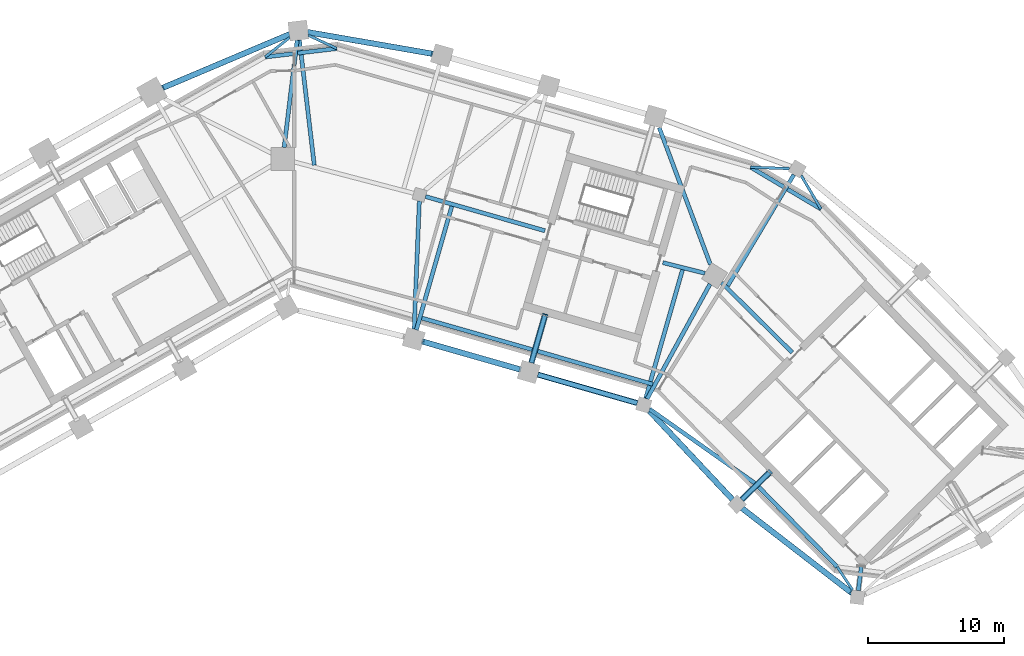
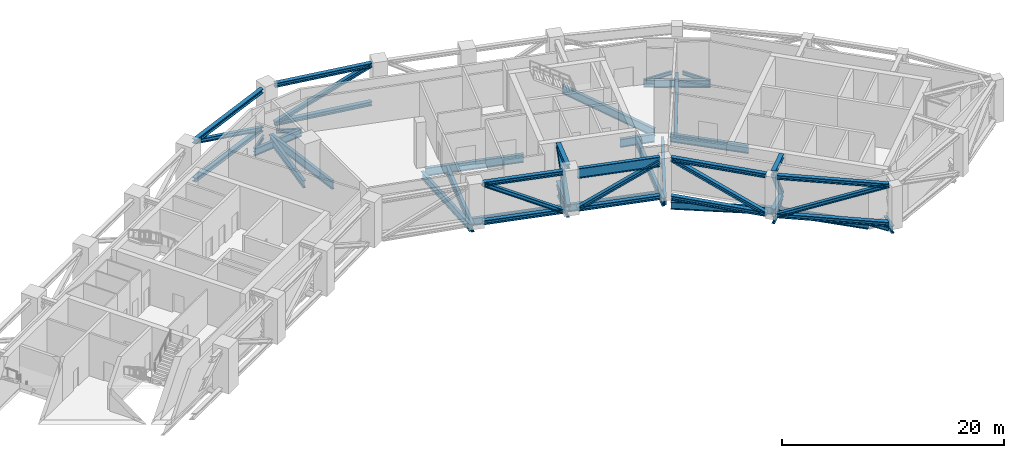
# One storey, part 3 of 16: 28 beams, 23 members.
"""IFC4 building model written with IfcOpenShell, lengths in metres."""

from ifc_helpers import new_model, si_unit, direction, frame, origin, origin_2d, place, context, subcontext, project, spatial, i_section, extrude, material, material_profile, profile_set, type_object, element, save


model = new_model("IFC4")

# Units and contexts
model_context = context("Model", 3, precision=1e-05, world=origin(), true_north=direction((0.0, 1.0)))
body_context = subcontext(model_context, "Body", "Model", "MODEL_VIEW")
ifc_project = project(units=[si_unit("LENGTHUNIT", "METRE"), si_unit("AREAUNIT", "SQUARE_METRE"), si_unit("VOLUMEUNIT", "CUBIC_METRE"), si_unit("PLANEANGLEUNIT", "RADIAN"), si_unit("MASSUNIT", "GRAM", prefix="KILO")], contexts=[model_context])

# Site, building, storey
site_placement = place(None, origin())
site = spatial("IfcSite", under=ifc_project, at=site_placement, CompositionType="ELEMENT")
building_placement = place(site_placement, origin())
building = spatial("IfcBuilding", under=site, at=building_placement, Name="Binnacle Exchange Tower", CompositionType="ELEMENT")
storey_placement = place(building_placement, frame((0.0, 0.0, 149.89990234375)))
storey = spatial("IfcBuildingStorey", under=building, at=storey_placement, Name="L31", CompositionType="ELEMENT", Elevation=149.89990234375)

# Members
ifc_material_1 = material(Name="Steel S460 (SHN460)", Category="steel")
ifc_material_profile_1 = material_profile(ifc_material_1, i_section(OverallWidth=0.4169921875, OverallDepth=0.4580078125, WebThickness=0.030029296875, FlangeThickness=0.050048828125, FilletRadius=0.02197265625, at=origin_2d()), Name="H 458x417x30x50")
ifc_profile_set_1 = profile_set([ifc_material_profile_1], Name="Steel S460 (SHN460)")
member_type_1 = type_object("IfcMemberType", Name="Belt truss chord BT31C H 458x417x30x50 Steel S460 (SHN460)", PredefinedType="CHORD", material=ifc_profile_set_1)
for number, where, z_axis, x_axis, name in (
    (1, (10.1962890625, 67.749267578125, 4.451171875), (-0.985312784176, 0.170759237931, 0.0), (-0.170759237931, -0.985312784176, 0.0), "S:TR:L31:BEL:010"),
    (2, (10.1962890625, 67.749267578125, 0.22900390625), (-0.985312784176, 0.170759237931, 0.0), (-0.170759237931, -0.985312784176, 0.0), "S:TR:L31:BEL:011"),
):
    element("IfcMember", number, at=place(storey_placement, frame(where, z_axis=z_axis, x_axis=x_axis)), inside=storey, type_object=member_type_1, Name=name, PredefinedType="CHORD", context=body_context, shape_type="SweptSolid", body=[
        extrude(i_section(OverallWidth=0.4169921875, OverallDepth=0.4580078125, WebThickness=0.030029296875, FlangeThickness=0.050048828125, FilletRadius=0.02197265625, at=origin_2d()), origin(), (0.0, 0.0, 1.0), 9.313232421875),
    ])
for number, where, z_axis, x_axis, name in (
    (3, (-0.37109375, 69.180419921875, 4.451171875), (-0.921114465748, -0.389291845523, 0.0), (0.389291845523, -0.921114465748, 0.0), "S:TR:L31:BEL:013"),
    (4, (-0.37109375, 69.180419921875, 0.22900390625), (-0.921114465748, -0.389291845523, 0.0), (0.389291845523, -0.921114465748, 0.0), "S:TR:L31:BEL:014"),
):
    element("IfcMember", number, at=place(storey_placement, frame(where, z_axis=z_axis, x_axis=x_axis)), inside=storey, type_object=member_type_1, Name=name, PredefinedType="CHORD", context=body_context, shape_type="SweptSolid", body=[
        extrude(i_section(OverallWidth=0.4169921875, OverallDepth=0.4580078125, WebThickness=0.030029296875, FlangeThickness=0.050048828125, FilletRadius=0.02197265625, at=origin_2d()), origin(), (0.0, 0.0, 1.0), 10.13525390625),
    ])
for number, where, z_axis, x_axis, name in (
    (5, (9.482421875, 46.529296875, 4.451171875), (0.961257800717, -0.275650939705, 0.0), (0.275650939705, 0.961257800717, 0.0), "S:TR:L31:BEL:058"),
    (6, (9.482421875, 46.529296875, 0.22900390625), (0.961257800717, -0.275650939705, 0.0), (0.275650939705, 0.961257800717, 0.0), "S:TR:L31:BEL:059"),
):
    element("IfcMember", number, at=place(storey_placement, frame(where, z_axis=z_axis, x_axis=x_axis)), inside=storey, type_object=member_type_1, Name=name, PredefinedType="CHORD", context=body_context, shape_type="SweptSolid", body=[
        extrude(i_section(OverallWidth=0.4169921875, OverallDepth=0.4580078125, WebThickness=0.030029296875, FlangeThickness=0.050048828125, FilletRadius=0.02197265625, at=origin_2d()), origin(), (0.0, 0.0, 1.0), 7.42041015625),
    ])
member_1_placement = place(storey_placement, frame((17.961181640625, 44.09814453125, 0.22900390625), z_axis=(0.961257524102, -0.275651904325, 0.0), x_axis=(0.275651904325, 0.961257524102, 0.0)))
element("IfcMember", 7, at=member_1_placement, inside=storey, type_object=member_type_1, Name="S:TR:L31:BEL:062", PredefinedType="CHORD", context=body_context, shape_type="SweptSolid", body=[
    extrude(i_section(OverallWidth=0.4169921875, OverallDepth=0.4580078125, WebThickness=0.030029296875, FlangeThickness=0.050048828125, FilletRadius=0.02197265625, at=origin_2d()), origin(), (0.0, 0.0, 1.0), 7.620361328125),
])
for number, where, z_axis, x_axis, name in (
    (8, (26.165283203125, 41.43505859375, 4.451171875), (0.684076068391, -0.729410674898, 0.0), (0.729410674898, 0.684076068391, 0.0), "S:TR:L31:BEL:064"),
    (9, (26.165283203125, 41.43505859375, 0.22900390625), (0.684076068391, -0.729410674898, 0.0), (0.729410674898, 0.684076068391, 0.0), "S:TR:L31:BEL:065"),
):
    element("IfcMember", number, at=place(storey_placement, frame(where, z_axis=z_axis, x_axis=x_axis)), inside=storey, type_object=member_type_1, Name=name, PredefinedType="CHORD", context=body_context, shape_type="SweptSolid", body=[
        extrude(i_section(OverallWidth=0.4169921875, OverallDepth=0.4580078125, WebThickness=0.030029296875, FlangeThickness=0.050048828125, FilletRadius=0.02197265625, at=origin_2d()), origin(), (0.0, 0.0, 1.0), 8.966552734375),
    ])
for number, where, z_axis, x_axis, name in (
    (10, (33.040771484375, 34.2216796875, 4.451171875), (0.791519159984, -0.611144352324, 0.0), (0.611144352324, 0.791519159984, 0.0), "S:TR:L31:BEL:067"),
    (11, (33.040771484375, 34.2216796875, 0.22900390625), (0.791519159984, -0.611144352324, 0.0), (0.611144352324, 0.791519159984, 0.0), "S:TR:L31:BEL:068"),
):
    element("IfcMember", number, at=place(storey_placement, frame(where, z_axis=z_axis, x_axis=x_axis)), inside=storey, type_object=member_type_1, Name=name, PredefinedType="CHORD", context=body_context, shape_type="SweptSolid", body=[
        extrude(i_section(OverallWidth=0.4169921875, OverallDepth=0.4580078125, WebThickness=0.030029296875, FlangeThickness=0.050048828125, FilletRadius=0.02197265625, at=origin_2d()), origin(), (0.0, 0.0, 1.0), 10.13232421875),
    ])
ifc_material_2 = material(Name="Steel S355 (SHN355)", Category="steel")
ifc_material_profile_2 = material_profile(ifc_material_2, i_section(OverallWidth=0.403076171875, OverallDepth=0.406005859375, WebThickness=0.01611328125, FlangeThickness=0.02392578125, FilletRadius=0.02197265625, at=origin_2d()), Name="H 406x403x16x24")
ifc_profile_set_2 = profile_set([ifc_material_profile_2], Name="Steel S355 (SHN355)")
member_type_2 = type_object("IfcMemberType", Name="Belt truss diagonal BT31D H 406x403x16x24 Steel S355 (SHN355)", PredefinedType="BRACE", material=ifc_profile_set_2)
member_2_placement = place(storey_placement, frame((10.1962890625, 67.749267578125, 4.451171875), z_axis=(-0.897400027962, 0.155523552881, -0.412899036464), x_axis=(-0.170759237931, -0.985312784176, 0.0)))
element("IfcMember", 12, at=member_2_placement, inside=storey, type_object=member_type_2, Name="S:TR:L31:BEL:012", PredefinedType="BRACE", context=body_context, shape_type="SweptSolid", body=[
    extrude(i_section(OverallWidth=0.403076171875, OverallDepth=0.406005859375, WebThickness=0.01611328125, FlangeThickness=0.02392578125, FilletRadius=0.02197265625, at=origin_2d()), origin(), (0.0, 0.0, 1.0), 10.2255859375),
])
member_3_placement = place(storey_placement, frame((-0.37109375, 69.180419921875, 0.22900390625), z_axis=(-0.850284475658, -0.359356871548, 0.38455032093), x_axis=(0.389291845523, -0.921114465748, 0.0)))
element("IfcMember", 13, at=member_3_placement, inside=storey, type_object=member_type_2, Name="S:TR:L31:BEL:015", PredefinedType="BRACE", context=body_context, shape_type="SweptSolid", body=[
    extrude(i_section(OverallWidth=0.403076171875, OverallDepth=0.406005859375, WebThickness=0.01611328125, FlangeThickness=0.02392578125, FilletRadius=0.02197265625, at=origin_2d()), origin(), (0.0, 0.0, 1.0), 10.9794921875),
])
member_4_placement = place(storey_placement, frame((9.482421875, 46.529296875, 4.451171875), z_axis=(0.835477043669, -0.239581964398, -0.494548877095), x_axis=(0.275650939705, 0.961257800717, 0.0)))
element("IfcMember", 14, at=member_4_placement, inside=storey, type_object=member_type_2, Name="S:TR:L31:BEL:060", PredefinedType="BRACE", context=body_context, shape_type="SweptSolid", body=[
    extrude(i_section(OverallWidth=0.403076171875, OverallDepth=0.406005859375, WebThickness=0.01611328125, FlangeThickness=0.02392578125, FilletRadius=0.02197265625, at=origin_2d()), origin(), (0.0, 0.0, 1.0), 8.537353515625),
])
member_5_placement = place(storey_placement, frame((17.961181640625, 44.09814453125, 0.22900390625), z_axis=(0.855653066529, -0.245368583669, 0.455688586524), x_axis=(0.275651904325, 0.961257524102, 0.0)))
element("IfcMember", 15, at=member_5_placement, inside=storey, type_object=member_type_2, Name="S:TR:L31:BEL:063", PredefinedType="BRACE", context=body_context, shape_type="SweptSolid", body=[
    extrude(i_section(OverallWidth=0.403076171875, OverallDepth=0.406005859375, WebThickness=0.01611328125, FlangeThickness=0.02392578125, FilletRadius=0.02197265625, at=origin_2d()), origin(), (0.0, 0.0, 1.0), 8.56103515625),
])
member_6_placement = place(storey_placement, frame((26.165283203125, 41.43505859375, 4.451171875), z_axis=(0.618895021284, -0.659909995429, -0.426013791517), x_axis=(0.729410674898, 0.684076068391, 0.0)))
element("IfcMember", 16, at=member_6_placement, inside=storey, type_object=member_type_2, Name="S:TR:L31:BEL:066", PredefinedType="BRACE", context=body_context, shape_type="SweptSolid", body=[
    extrude(i_section(OverallWidth=0.403076171875, OverallDepth=0.406005859375, WebThickness=0.01611328125, FlangeThickness=0.02392578125, FilletRadius=0.02197265625, at=origin_2d()), origin(), (0.0, 0.0, 1.0), 9.910888671875),
])
member_7_placement = place(storey_placement, frame((33.040771484375, 34.2216796875, 0.22900390625), z_axis=(0.730624918725, -0.564126953989, 0.384640101809), x_axis=(0.611144352324, 0.791519159984, 0.0)))
element("IfcMember", 17, at=member_7_placement, inside=storey, type_object=member_type_2, Name="S:TR:L31:BEL:069", PredefinedType="BRACE", context=body_context, shape_type="SweptSolid", body=[
    extrude(i_section(OverallWidth=0.403076171875, OverallDepth=0.406005859375, WebThickness=0.01611328125, FlangeThickness=0.02392578125, FilletRadius=0.02197265625, at=origin_2d()), origin(), (0.0, 0.0, 1.0), 10.97705078125),
])

# Beams
ifc_material_profile_3 = material_profile(ifc_material_2, i_section(OverallWidth=0.300048828125, OverallDepth=0.800048828125, WebThickness=0.013916015625, FlangeThickness=0.02587890625, FilletRadius=0.028076171875, at=origin_2d()), Name="H 800x300x14x26")
ifc_profile_set_3 = profile_set([ifc_material_profile_3], Name="Steel S355 (SHN355)")
beam_type_1 = type_object("IfcBeamType", Name="Edge girder H 800x300x14x26 Steel S355 (SHN355)", PredefinedType="SPANDREL", material=ifc_profile_set_3)
beam_1_placement = place(storey_placement, frame((-2.141845703125, 67.513671875, -0.75), z_axis=(0.99307431808, 0.117487866483, 0.0), x_axis=(-0.117487866483, 0.99307431808, 0.0)))
element("IfcBeam", 18, at=beam_1_placement, inside=storey, type_object=beam_type_1, Name="S:BM:edge:L31:029", PredefinedType="SPANDREL", context=body_context, shape_type="SweptSolid", body=[
    extrude(i_section(OverallWidth=0.300048828125, OverallDepth=0.800048828125, WebThickness=0.013916015625, FlangeThickness=0.02587890625, FilletRadius=0.028076171875, at=origin_2d()), origin(), (0.0, 0.0, 1.0), 2.10302734375),
])
beam_2_placement = place(storey_placement, frame((0.244384765625, 67.796142578125, -0.75), z_axis=(0.993067190116, 0.117548100429, 0.0), x_axis=(-0.117548100429, 0.993067190116, 0.0)))
element("IfcBeam", 19, at=beam_2_placement, inside=storey, type_object=beam_type_1, Name="S:BM:edge:L31:032", PredefinedType="SPANDREL", context=body_context, shape_type="SweptSolid", body=[
    extrude(i_section(OverallWidth=0.300048828125, OverallDepth=0.800048828125, WebThickness=0.013916015625, FlangeThickness=0.02587890625, FilletRadius=0.028076171875, at=origin_2d()), origin(), (0.0, 0.0, 1.0), 2.90576171875),
])
beam_3_placement = place(storey_placement, frame((17.59912109375, 45.91845703125, -0.75), z_axis=(-0.961264031761, 0.275629209703, 0.0), x_axis=(-0.275629209703, -0.961264031761, 0.0)))
element("IfcBeam", 20, at=beam_3_placement, inside=storey, type_object=beam_type_1, Name="S:BM:edge:L31:036", PredefinedType="SPANDREL", context=body_context, shape_type="SweptSolid", body=[
    extrude(i_section(OverallWidth=0.300048828125, OverallDepth=0.800048828125, WebThickness=0.013916015625, FlangeThickness=0.02587890625, FilletRadius=0.028076171875, at=origin_2d()), origin(), (0.0, 0.0, 1.0), 8.52099609375),
])
beam_4_placement = place(storey_placement, frame((26.43603515625, 43.384521484375, -0.75), z_axis=(-0.961264530406, 0.275627470663, 0.0), x_axis=(-0.275627470663, -0.961264530406, 0.0)))
element("IfcBeam", 21, at=beam_4_placement, inside=storey, type_object=beam_type_1, Name="S:BM:edge:L31:038", PredefinedType="SPANDREL", context=body_context, shape_type="SweptSolid", body=[
    extrude(i_section(OverallWidth=0.300048828125, OverallDepth=0.800048828125, WebThickness=0.013916015625, FlangeThickness=0.02587890625, FilletRadius=0.028076171875, at=origin_2d()), origin(), (0.0, 0.0, 1.0), 8.89306640625),
])
beam_5_placement = place(storey_placement, frame((33.649658203125, 59.38623046875, -0.75), z_axis=(0.859396278682, -0.511310117431, 0.0), x_axis=(0.511310117431, 0.859396278682, 0.0)))
element("IfcBeam", 22, at=beam_5_placement, inside=storey, type_object=beam_type_1, Name="S:BM:edge:L31:040", PredefinedType="SPANDREL", context=body_context, shape_type="SweptSolid", body=[
    extrude(i_section(OverallWidth=0.300048828125, OverallDepth=0.800048828125, WebThickness=0.013916015625, FlangeThickness=0.02587890625, FilletRadius=0.028076171875, at=origin_2d()), origin(), (0.0, 0.0, 1.0), 2.86572265625),
])
beam_6_placement = place(storey_placement, frame((33.9912109375, 36.06689453125, -0.75), z_axis=(-0.817553151105, 0.575853145444, 0.0), x_axis=(-0.575853145444, -0.817553151105, 0.0)))
element("IfcBeam", 23, at=beam_6_placement, inside=storey, type_object=beam_type_1, Name="S:BM:edge:L31:041", PredefinedType="SPANDREL", context=body_context, shape_type="SweptSolid", body=[
    extrude(i_section(OverallWidth=0.300048828125, OverallDepth=0.800048828125, WebThickness=0.013916015625, FlangeThickness=0.02587890625, FilletRadius=0.028076171875, at=origin_2d()), origin(), (0.0, 0.0, 1.0), 9.5302734375),
])
beam_7_placement = place(storey_placement, frame((36.370361328125, 57.767578125, -0.75), z_axis=(0.85943371201, -0.511247195259, 0.0), x_axis=(0.511247195259, 0.85943371201, 0.0)))
element("IfcBeam", 24, at=beam_7_placement, inside=storey, type_object=beam_type_1, Name="S:BM:edge:L31:042", PredefinedType="SPANDREL", context=body_context, shape_type="SweptSolid", body=[
    extrude(i_section(OverallWidth=0.300048828125, OverallDepth=0.800048828125, WebThickness=0.013916015625, FlangeThickness=0.02587890625, FilletRadius=0.028076171875, at=origin_2d()), origin(), (0.0, 0.0, 1.0), 2.86572265625),
])
beam_8_placement = place(storey_placement, frame((40.031005859375, 29.920654296875, -0.75), z_axis=(-0.700915564587, 0.713244257825, 0.0), x_axis=(-0.713244257825, -0.700915564587, 0.0)))
element("IfcBeam", 25, at=beam_8_placement, inside=storey, type_object=beam_type_1, Name="S:BM:edge:L31:044", PredefinedType="SPANDREL", context=body_context, shape_type="SweptSolid", body=[
    extrude(i_section(OverallWidth=0.300048828125, OverallDepth=0.800048828125, WebThickness=0.013916015625, FlangeThickness=0.02587890625, FilletRadius=0.028076171875, at=origin_2d()), origin(), (0.0, 0.0, 1.0), 8.317138671875),
])
ifc_material_profile_4 = material_profile(ifc_material_2, i_section(OverallWidth=0.199951171875, OverallDepth=0.39990234375, WebThickness=0.008056640625, FlangeThickness=0.012939453125, FilletRadius=0.01611328125, at=origin_2d()), Name="H 400x200x8x13")
ifc_profile_set_4 = profile_set([ifc_material_profile_4], Name="Steel S355 (SHN355)")
beam_type_2 = type_object("IfcBeamType", Name="Floor beam H 400x200x8x13 Steel S355 (SHN355)", PredefinedType="BEAM", material=ifc_profile_set_4)
for number, where, z_axis, x_axis, name in (
    (26, (-0.343994140625, 68.94970703125, -0.5498046875), (-0.781344753533, -0.624099652401, 0.0), (0.624099652401, -0.781344753533, 0.0), "S:BM:cross:L31:066"),
    (27, (1.04638671875, 69.114501953125, -0.5498046875), (0.905430901978, -0.424493676918, 0.0), (0.424493676918, 0.905430901978, 0.0), "S:BM:cross:L31:068"),
):
    element("IfcBeam", number, at=place(storey_placement, frame(where, z_axis=z_axis, x_axis=x_axis)), inside=storey, type_object=beam_type_2, Name=name, PredefinedType="BEAM", context=body_context, shape_type="SweptSolid", body=[
        extrude(i_section(OverallWidth=0.199951171875, OverallDepth=0.39990234375, WebThickness=0.008056640625, FlangeThickness=0.012939453125, FilletRadius=0.01611328125, at=origin_2d()), origin(), (0.0, 0.0, 1.0), 2.301025390625),
    ])
beam_9_placement = place(storey_placement, frame((36.515380859375, 59.282958984375, -0.5498046875), z_axis=(-0.999351306147, 0.036013426691, 0.0), x_axis=(-0.036013426691, -0.999351306147, 0.0)))
element("IfcBeam", 28, at=beam_9_placement, inside=storey, type_object=beam_type_2, Name="S:BM:cross:L31:076", PredefinedType="BEAM", context=body_context, shape_type="SweptSolid", body=[
    extrude(i_section(OverallWidth=0.199951171875, OverallDepth=0.39990234375, WebThickness=0.008056640625, FlangeThickness=0.012939453125, FilletRadius=0.01611328125, at=origin_2d()), origin(), (0.0, 0.0, 1.0), 2.86767578125),
])
beam_10_placement = place(storey_placement, frame((37.374755859375, 58.771728515625, -0.5498046875), z_axis=(0.508574424887, -0.861018033697, 0.0), x_axis=(0.861018033697, 0.508574424887, 0.0)))
element("IfcBeam", 29, at=beam_10_placement, inside=storey, type_object=beam_type_2, Name="S:BM:cross:L31:078", PredefinedType="BEAM", context=body_context, shape_type="SweptSolid", body=[
    extrude(i_section(OverallWidth=0.199951171875, OverallDepth=0.39990234375, WebThickness=0.008056640625, FlangeThickness=0.012939453125, FilletRadius=0.01611328125, at=origin_2d()), origin(), (0.0, 0.0, 1.0), 2.867919921875),
])
beam_11_placement = place(storey_placement, frame((41.15478515625, 28.225341796875, -0.5498046875), z_axis=(-0.552509991461, 0.833506274323, 0.0), x_axis=(-0.833506274323, -0.552509991461, 0.0)))
element("IfcBeam", 30, at=beam_11_placement, inside=storey, type_object=beam_type_2, Name="S:BM:cross:L31:079", PredefinedType="BEAM", context=body_context, shape_type="SweptSolid", body=[
    extrude(i_section(OverallWidth=0.199951171875, OverallDepth=0.39990234375, WebThickness=0.008056640625, FlangeThickness=0.012939453125, FilletRadius=0.01611328125, at=origin_2d()), origin(), (0.0, 0.0, 1.0), 2.033935546875),
])
ifc_material_profile_5 = material_profile(ifc_material_2, i_section(OverallWidth=0.300048828125, OverallDepth=0.800048828125, WebThickness=0.013916015625, FlangeThickness=0.02587890625, FilletRadius=0.028076171875, at=origin_2d()), Name="H 800x300x14x26")
ifc_profile_set_5 = profile_set([ifc_material_profile_5], Name="Steel S355 (SHN355)")
beam_type_3 = type_object("IfcBeamType", Name="Floor beam H 800x300x14x26 Steel S355 (SHN355)", PredefinedType="BEAM", material=ifc_profile_set_5)
beam_12_placement = place(storey_placement, frame((17.481201171875, 44.964111328125, -0.75), z_axis=(0.275643564404, 0.961259915633, 0.0), x_axis=(-0.961259915633, 0.275643564404, 0.0)))
element("IfcBeam", 31, at=beam_12_placement, inside=storey, type_object=beam_type_3, Name="S:BM:cross:L31:071", PredefinedType="BEAM", context=body_context, shape_type="SweptSolid", body=[
    extrude(i_section(OverallWidth=0.300048828125, OverallDepth=0.800048828125, WebThickness=0.013916015625, FlangeThickness=0.02587890625, FilletRadius=0.028076171875, at=origin_2d()), origin(), (0.0, 0.0, 1.0), 3.635009765625),
])
beam_13_placement = place(storey_placement, frame((32.997802734375, 34.880615234375, -0.75), z_axis=(0.713272005304, 0.700887327928, 0.0), x_axis=(-0.700887327928, 0.713272005304, 0.0)))
element("IfcBeam", 32, at=beam_13_placement, inside=storey, type_object=beam_type_3, Name="S:BM:cross:L31:075", PredefinedType="BEAM", context=body_context, shape_type="SweptSolid", body=[
    extrude(i_section(OverallWidth=0.300048828125, OverallDepth=0.800048828125, WebThickness=0.013916015625, FlangeThickness=0.02587890625, FilletRadius=0.028076171875, at=origin_2d()), origin(), (0.0, 0.0, 1.0), 2.8583984375),
])
beam_14_placement = place(storey_placement, frame((41.582763671875, 28.1708984375, -0.75), z_axis=(0.12626620762, 0.991996393549, 0.0), x_axis=(-0.991996393549, 0.12626620762, 0.0)))
element("IfcBeam", 33, at=beam_14_placement, inside=storey, type_object=beam_type_3, Name="S:BM:cross:L31:080", PredefinedType="BEAM", context=body_context, shape_type="SweptSolid", body=[
    extrude(i_section(OverallWidth=0.300048828125, OverallDepth=0.800048828125, WebThickness=0.013916015625, FlangeThickness=0.02587890625, FilletRadius=0.028076171875, at=origin_2d()), origin(), (0.0, 0.0, 1.0), 1.8310546875),
])
ifc_material_profile_6 = material_profile(ifc_material_2, i_section(OverallWidth=0.300048828125, OverallDepth=0.89990234375, WebThickness=0.01611328125, FlangeThickness=0.028076171875, FilletRadius=0.028076171875, at=origin_2d()), Name="H 900x300x16x28")
ifc_profile_set_6 = profile_set([ifc_material_profile_6], Name="Steel S355 (SHN355)")
beam_type_4 = type_object("IfcBeamType", Name="Floor beam H 900x300x16x28 Steel S355 (SHN355)", PredefinedType="BEAM", material=ifc_profile_set_6)
beam_15_placement = place(storey_placement, frame((0.38232421875, 68.76904296875, -0.7998046875), z_axis=(0.117557103339, -0.993066124412, 0.0), x_axis=(0.993066124412, 0.117557103339, 0.0)))
element("IfcBeam", 34, at=beam_15_placement, inside=storey, type_object=beam_type_4, Name="S:BM:cross:L31:067", PredefinedType="BEAM", context=body_context, shape_type="SweptSolid", body=[
    extrude(i_section(OverallWidth=0.300048828125, OverallDepth=0.89990234375, WebThickness=0.01611328125, FlangeThickness=0.028076171875, FilletRadius=0.028076171875, at=origin_2d()), origin(), (0.0, 0.0, 1.0), 9.2998046875),
])
beam_16_placement = place(storey_placement, frame((36.829345703125, 58.832763671875, -0.7998046875), z_axis=(-0.51129570724, -0.859404852068, 0.0), x_axis=(0.859404852068, -0.51129570724, 0.0)))
element("IfcBeam", 35, at=beam_16_placement, inside=storey, type_object=beam_type_4, Name="S:BM:cross:L31:077", PredefinedType="BEAM", context=body_context, shape_type="SweptSolid", body=[
    extrude(i_section(OverallWidth=0.300048828125, OverallDepth=0.89990234375, WebThickness=0.01611328125, FlangeThickness=0.028076171875, FilletRadius=0.028076171875, at=origin_2d()), origin(), (0.0, 0.0, 1.0), 9.5361328125),
])
ifc_material_profile_7 = material_profile(ifc_material_2, i_section(OverallWidth=0.302001953125, OverallDepth=0.912109375, WebThickness=0.01806640625, FlangeThickness=0.033935546875, FilletRadius=0.028076171875, at=origin_2d()), Name="H 912x302x18x34")
ifc_profile_set_7 = profile_set([ifc_material_profile_7], Name="Steel S355 (SHN355)")
beam_type_5 = type_object("IfcBeamType", Name="Floor beam H 912x302x18x34 Steel S355 (SHN355)", PredefinedType="BEAM", material=ifc_profile_set_7)
beam_17_placement = place(storey_placement, frame((9.00244140625, 47.395263671875, -0.805908203125), z_axis=(0.275642274849, 0.961260285415, 0.0), x_axis=(-0.961260285415, 0.275642274849, 0.0)))
element("IfcBeam", 36, at=beam_17_placement, inside=storey, type_object=beam_type_5, Name="S:BM:cross:L31:069", PredefinedType="BEAM", context=body_context, shape_type="SweptSolid", body=[
    extrude(i_section(OverallWidth=0.302001953125, OverallDepth=0.912109375, WebThickness=0.01806640625, FlangeThickness=0.033935546875, FilletRadius=0.028076171875, at=origin_2d()), origin(), (0.0, 0.0, 1.0), 9.485107421875),
])
beam_18_placement = place(storey_placement, frame((25.90478515625, 42.34033203125, -0.805908203125), z_axis=(0.275622426292, 0.961265976785, 0.0), x_axis=(-0.961265976785, 0.275622426292, 0.0)))
element("IfcBeam", 37, at=beam_18_placement, inside=storey, type_object=beam_type_5, Name="S:BM:cross:L31:073", PredefinedType="BEAM", context=body_context, shape_type="SweptSolid", body=[
    extrude(i_section(OverallWidth=0.302001953125, OverallDepth=0.912109375, WebThickness=0.01806640625, FlangeThickness=0.033935546875, FilletRadius=0.028076171875, at=origin_2d()), origin(), (0.0, 0.0, 1.0), 9.872802734375),
])

# Members
ifc_material_profile_8 = material_profile(ifc_material_1, i_section(OverallWidth=0.431884765625, OverallDepth=0.498046875, WebThickness=0.044921875, FlangeThickness=0.070068359375, FilletRadius=0.02197265625, at=origin_2d()), Name="H 498x432x45x70")
ifc_profile_set_8 = profile_set([ifc_material_profile_8], Name="Steel S460 (SHN460)")
member_type_3 = type_object("IfcMemberType", Name="Outrigger truss chord OT31C H 498x432x45x70 Steel S460 (SHN460)", PredefinedType="CHORD", material=ifc_profile_set_8)
for number, where, z_axis, x_axis, name in (
    (38, (32.997802734375, 34.880615234375, 4.43115234375), (0.71327336915, 0.70088593998, 0.0), (-0.70088593998, 0.71327336915, 0.0), "S:TR:L31:OUT:100"),
    (39, (32.997802734375, 34.880615234375, 0.2490234375), (0.71327336915, 0.70088593998, 0.0), (-0.70088593998, 0.71327336915, 0.0), "S:TR:L31:OUT:101"),
):
    element("IfcMember", number, at=place(storey_placement, frame(where, z_axis=z_axis, x_axis=x_axis)), inside=storey, type_object=member_type_3, Name=name, PredefinedType="CHORD", context=body_context, shape_type="SweptSolid", body=[
        extrude(i_section(OverallWidth=0.431884765625, OverallDepth=0.498046875, WebThickness=0.044921875, FlangeThickness=0.070068359375, FilletRadius=0.02197265625, at=origin_2d()), origin(), (0.0, 0.0, 1.0), 2.818359375),
    ])
for number, where, z_axis, x_axis, name in (
    (40, (17.481201171875, 44.964111328125, 4.43115234375), (0.275644827117, 0.961259553546, 0.0), (-0.961259553546, 0.275644827117, 0.0), "S:TR:L31:OUT:127"),
    (41, (17.481201171875, 44.964111328125, 0.2490234375), (0.275644827117, 0.961259553546, 0.0), (-0.961259553546, 0.275644827117, 0.0), "S:TR:L31:OUT:128"),
):
    element("IfcMember", number, at=place(storey_placement, frame(where, z_axis=z_axis, x_axis=x_axis)), inside=storey, type_object=member_type_3, Name=name, PredefinedType="CHORD", context=body_context, shape_type="SweptSolid", body=[
        extrude(i_section(OverallWidth=0.431884765625, OverallDepth=0.498046875, WebThickness=0.044921875, FlangeThickness=0.070068359375, FilletRadius=0.02197265625, at=origin_2d()), origin(), (0.0, 0.0, 1.0), 3.594970703125),
    ])
ifc_material_profile_9 = material_profile(ifc_material_2, i_section(OverallWidth=0.406982421875, OverallDepth=0.427978515625, WebThickness=0.02001953125, FlangeThickness=0.034912109375, FilletRadius=0.02197265625, at=origin_2d()), Name="H 428x407x20x35")
ifc_profile_set_9 = profile_set([ifc_material_profile_9], Name="Steel S355 (SHN355)")
member_type_4 = type_object("IfcMemberType", Name="Outrigger truss diagonal OT31D H 428x407x20x35 Steel S355 (SHN355)", PredefinedType="BRACE", material=ifc_profile_set_9)
member_8_placement = place(storey_placement, frame((32.997802734375, 34.880615234375, 4.43115234375), z_axis=(0.398611269887, 0.391688582057, -0.829270227492), x_axis=(-0.70088593998, 0.71327336915, 0.0)))
element("IfcMember", 42, at=member_8_placement, inside=storey, type_object=member_type_4, Name="S:TR:L31:OUT:102", PredefinedType="BRACE", context=body_context, shape_type="SweptSolid", body=[
    extrude(i_section(OverallWidth=0.406982421875, OverallDepth=0.427978515625, WebThickness=0.02001953125, FlangeThickness=0.034912109375, FilletRadius=0.02197265625, at=origin_2d()), origin(), (0.0, 0.0, 1.0), 5.043212890625),
])
member_9_placement = place(storey_placement, frame((17.481201171875, 44.964111328125, 0.2490234375), z_axis=(0.179686854945, 0.626624151698, 0.758323681991), x_axis=(-0.961259553546, 0.275644827117, 0.0)))
element("IfcMember", 43, at=member_9_placement, inside=storey, type_object=member_type_4, Name="S:TR:L31:OUT:129", PredefinedType="BRACE", context=body_context, shape_type="SweptSolid", body=[
    extrude(i_section(OverallWidth=0.406982421875, OverallDepth=0.427978515625, WebThickness=0.02001953125, FlangeThickness=0.034912109375, FilletRadius=0.02197265625, at=origin_2d()), origin(), (0.0, 0.0, 1.0), 5.514892578125),
])

# Beams
ifc_material_profile_10 = material_profile(ifc_material_2, i_section(OverallWidth=0.300048828125, OverallDepth=0.800048828125, WebThickness=0.013916015625, FlangeThickness=0.02587890625, FilletRadius=0.028076171875, at=origin_2d()), Name="H 800x300x14x26")
ifc_profile_set_10 = profile_set([ifc_material_profile_10], Name="Steel S355 (SHN355)")
beam_type_6 = type_object("IfcBeamType", Name="Spine girder H 800x300x14x26 Steel S355 (SHN355)", PredefinedType="BEAM", material=ifc_profile_set_10)
beam_19_placement = place(storey_placement, frame((-0.74658203125, 60.85009765625, -0.75), z_axis=(0.120612669289, 0.992699644408, 0.0), x_axis=(-0.992699644408, 0.120612669289, 0.0)))
element("IfcBeam", 44, at=beam_19_placement, inside=storey, type_object=beam_type_6, Name="S:BM:spine:L31:005", PredefinedType="BEAM", context=body_context, shape_type="SweptSolid", body=[
    extrude(i_section(OverallWidth=0.300048828125, OverallDepth=0.800048828125, WebThickness=0.013916015625, FlangeThickness=0.02587890625, FilletRadius=0.028076171875, at=origin_2d()), origin(), (0.0, 0.0, 1.0), 7.95703125),
])
beam_20_placement = place(storey_placement, frame((9.22216796875, 56.887451171875, -0.75), z_axis=(-0.040573469093, -0.999176557774, 0.0), x_axis=(0.999176557774, -0.040573469093, 0.0)))
element("IfcBeam", 45, at=beam_20_placement, inside=storey, type_object=beam_type_6, Name="S:BM:spine:L31:007", PredefinedType="BEAM", context=body_context, shape_type="SweptSolid", body=[
    extrude(i_section(OverallWidth=0.300048828125, OverallDepth=0.800048828125, WebThickness=0.013916015625, FlangeThickness=0.02587890625, FilletRadius=0.028076171875, at=origin_2d()), origin(), (0.0, 0.0, 1.0), 9.453125),
])
beam_21_placement = place(storey_placement, frame((30.65234375, 50.771484375, -0.75), z_axis=(-0.480722811784, -0.876872612316, 0.0), x_axis=(0.876872612316, -0.480722811784, 0.0)))
element("IfcBeam", 46, at=beam_21_placement, inside=storey, type_object=beam_type_6, Name="S:BM:spine:L31:011", PredefinedType="BEAM", context=body_context, shape_type="SweptSolid", body=[
    extrude(i_section(OverallWidth=0.300048828125, OverallDepth=0.800048828125, WebThickness=0.013916015625, FlangeThickness=0.02587890625, FilletRadius=0.028076171875, at=origin_2d()), origin(), (0.0, 0.0, 1.0), 9.650390625),
])
ifc_material_profile_11 = material_profile(ifc_material_2, i_section(OverallWidth=0.300048828125, OverallDepth=0.89990234375, WebThickness=0.01611328125, FlangeThickness=0.028076171875, FilletRadius=0.028076171875, at=origin_2d()), Name="H 900x300x16x28")
ifc_profile_set_11 = profile_set([ifc_material_profile_11], Name="Steel S355 (SHN355)")
beam_type_7 = type_object("IfcBeamType", Name="Spine girder H 900x300x16x28 Steel S355 (SHN355)", PredefinedType="BEAM", material=ifc_profile_set_11)
beam_22_placement = place(storey_placement, frame((30.6806640625, 52.212890625, -0.7998046875), z_axis=(-0.350112820386, 0.93670753867, 0.0), x_axis=(-0.93670753867, -0.350112820386, 0.0)))
element("IfcBeam", 47, at=beam_22_placement, inside=storey, type_object=beam_type_7, Name="S:BM:spine:L31:012", PredefinedType="BEAM", context=body_context, shape_type="SweptSolid", body=[
    extrude(i_section(OverallWidth=0.300048828125, OverallDepth=0.89990234375, WebThickness=0.01611328125, FlangeThickness=0.028076171875, FilletRadius=0.028076171875, at=origin_2d()), origin(), (0.0, 0.0, 1.0), 10.777099609375),
])
beam_23_placement = place(storey_placement, frame((31.499755859375, 50.8818359375, -0.7998046875), z_axis=(0.710998016372, -0.703194013566, 0.0), x_axis=(0.703194013566, 0.710998016372, 0.0)))
element("IfcBeam", 48, at=beam_23_placement, inside=storey, type_object=beam_type_7, Name="S:BM:spine:L31:013", PredefinedType="BEAM", context=body_context, shape_type="SweptSolid", body=[
    extrude(i_section(OverallWidth=0.300048828125, OverallDepth=0.89990234375, WebThickness=0.01611328125, FlangeThickness=0.028076171875, FilletRadius=0.028076171875, at=origin_2d()), origin(), (0.0, 0.0, 1.0), 7.320556640625),
])
ifc_material_profile_12 = material_profile(ifc_material_2, i_section(OverallWidth=0.302001953125, OverallDepth=0.912109375, WebThickness=0.01806640625, FlangeThickness=0.033935546875, FilletRadius=0.028076171875, at=origin_2d()), Name="H 912x302x18x34")
ifc_profile_set_12 = profile_set([ifc_material_profile_12], Name="Steel S355 (SHN355)")
beam_type_8 = type_object("IfcBeamType", Name="Spine girder H 912x302x18x34 Steel S355 (SHN355)", PredefinedType="BEAM", material=ifc_profile_set_12)
beam_24_placement = place(storey_placement, frame((9.673583984375, 57.226318359375, -0.805908203125), z_axis=(0.961256048299, -0.275657050715, 0.0), x_axis=(0.275657050715, 0.961256048299, 0.0)))
element("IfcBeam", 49, at=beam_24_placement, inside=storey, type_object=beam_type_8, Name="S:BM:spine:L31:009", PredefinedType="BEAM", context=body_context, shape_type="SweptSolid", body=[
    extrude(i_section(OverallWidth=0.302001953125, OverallDepth=0.912109375, WebThickness=0.01806640625, FlangeThickness=0.033935546875, FilletRadius=0.028076171875, at=origin_2d()), origin(), (0.0, 0.0, 1.0), 9.1630859375),
])
beam_25_placement = place(storey_placement, frame((27.17138671875, 52.35400390625, -0.805908203125), z_axis=(0.969348404361, -0.245690193055, 0.0), x_axis=(0.245690193055, 0.969348404361, 0.0)))
element("IfcBeam", 50, at=beam_25_placement, inside=storey, type_object=beam_type_8, Name="S:BM:spine:L31:010", PredefinedType="BEAM", context=body_context, shape_type="SweptSolid", body=[
    extrude(i_section(OverallWidth=0.302001953125, OverallDepth=0.912109375, WebThickness=0.01806640625, FlangeThickness=0.033935546875, FilletRadius=0.028076171875, at=origin_2d()), origin(), (0.0, 0.0, 1.0), 3.20361328125),
])
ifc_material_3 = material(Name="Steel S355 (SM355)", Category="steel")
ifc_material_profile_13 = material_profile(ifc_material_3, i_section(OverallWidth=0.35009765625, OverallDepth=1.10009765625, WebThickness=0.02001953125, FlangeThickness=0.035888671875, at=origin_2d()), Name="BH 1100x350x20x36")
ifc_profile_set_13 = profile_set([ifc_material_profile_13], Name="Steel S355 (SM355)")
beam_type_9 = type_object("IfcBeamType", Name="Transfer girder BH 1100x350x20x36 Steel S355 (SM355)", PredefinedType="BEAM", material=ifc_profile_set_13)
beam_26_placement = place(storey_placement, frame((17.961181640625, 44.09814453125, 4.130126953125), z_axis=(0.961257524102, -0.275651904325, 0.0), x_axis=(0.275651904325, 0.961257524102, 0.0)))
element("IfcBeam", 51, at=beam_26_placement, inside=storey, type_object=beam_type_9, Name="Transfer girder TG1 L31", PredefinedType="BEAM", context=body_context, shape_type="SweptSolid", body=[
    extrude(i_section(OverallWidth=0.35009765625, OverallDepth=1.10009765625, WebThickness=0.02001953125, FlangeThickness=0.035888671875, at=origin_2d()), origin(), (0.0, 0.0, 1.0), 7.620361328125),
])

save(model, "model.ifc")
